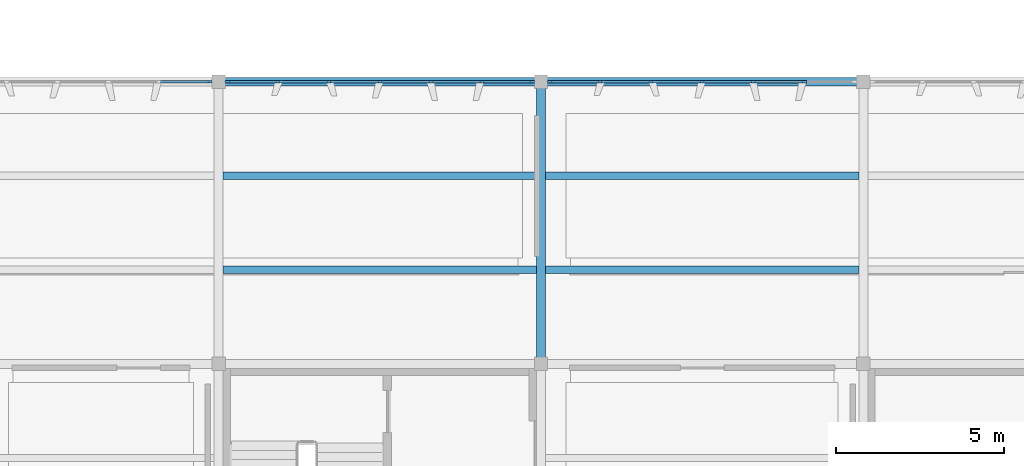
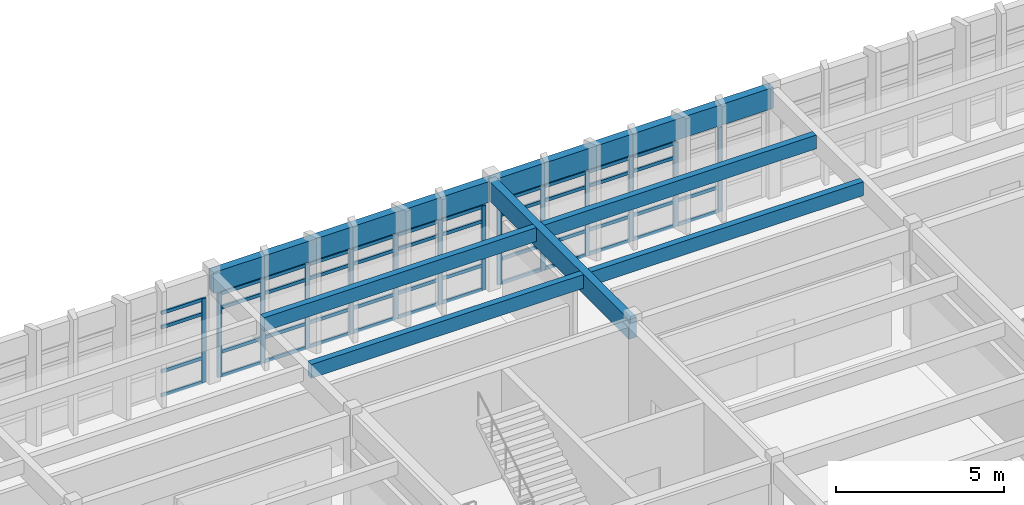
# One storey, part 11 of 42: 60 members, 7 beams, 3 elements without a shape of their own.
"""IFC4 building model written with IfcOpenShell, lengths in metres."""

from ifc_helpers import new_model, si_unit, direction, frame, origin, origin_2d, place, context, subcontext, project, spatial, rectangle, extrude, material, layer, layer_set, material_profile, profile_set, type_object, element, aggregate, save


model = new_model("IFC4")

# Units and contexts
model_context = context("Model", 3, precision=1e-05, world=origin(), true_north=direction((0.0, 1.0)))
body_context = subcontext(model_context, "Body", "Model", "MODEL_VIEW")
ifc_project = project(units=[si_unit("LENGTHUNIT", "METRE"), si_unit("AREAUNIT", "SQUARE_METRE"), si_unit("VOLUMEUNIT", "CUBIC_METRE"), si_unit("PLANEANGLEUNIT", "RADIAN"), si_unit("MASSUNIT", "GRAM", prefix="KILO")], contexts=[model_context])

# Site, building, storey
site_placement = place(None, origin())
site = spatial("IfcSite", under=ifc_project, at=site_placement, CompositionType="ELEMENT")
building_placement = place(site_placement, origin())
building = spatial("IfcBuilding", under=site, at=building_placement, Name="Kolvemor Railside Polytechnic", CompositionType="ELEMENT")
storey_placement = place(building_placement, frame((0.0, 0.0, 14.39990234375)))
storey = spatial("IfcBuildingStorey", under=building, at=storey_placement, Name="L03", CompositionType="ELEMENT", Elevation=14.39990234375)

# Beams
ifc_material_1 = material(Name="Glulam GL28h", Category="wood")
ifc_material_profile_1 = material_profile(ifc_material_1, rectangle(XDim=0.264892578125, YDim=0.760009765625, at=origin_2d()), Name="GL265x760")
ifc_profile_set_1 = profile_set([ifc_material_profile_1], Name="Glulam GL28h")
beam_type_1 = type_object("IfcBeamType", Name="BM-GL-GIRD1", PredefinedType="BEAM", material=ifc_profile_set_1)
for number, where, z_axis, x_axis, name in (
    (1, (86.39990234375, 38.39990234375, 3.570068359375), (1.0, 0.0, 0.0), (0.0, 1.0, 0.0), "Primary Girder L04-GX 1407"),
    (2, (96.0, 38.39990234375, 3.570068359375), (1.0, 0.0, 0.0), (0.0, 1.0, 0.0), "Primary Girder L04-GX 1408"),
):
    element("IfcBeam", number, at=place(storey_placement, frame(where, z_axis=z_axis, x_axis=x_axis)), inside=storey, type_object=beam_type_1, Name=name, PredefinedType="BEAM", context=body_context, shape_type="SweptSolid", body=[
        extrude(rectangle(XDim=0.264892578125, YDim=0.760009765625, at=origin_2d()), origin(), (0.0, 0.0, 1.0), 9.60009765625),
    ])
ifc_material_2 = material(Name="Glulam GL28h", Category="wood")
ifc_material_profile_2 = material_profile(ifc_material_2, rectangle(XDim=0.264892578125, YDim=0.719970703125, at=origin_2d()), Name="GL265x720")
ifc_profile_set_2 = profile_set([ifc_material_profile_2], Name="Glulam GL28h")
beam_type_2 = type_object("IfcBeamType", Name="BM-GL-GIRD4", PredefinedType="BEAM", material=ifc_profile_set_2)
beam_placement = place(storey_placement, frame((96.0, 30.0, 3.590087890625), z_axis=(0.0, 1.0, 0.0), x_axis=(-1.0, 0.0, 0.0)))
element("IfcBeam", 3, at=beam_placement, inside=storey, type_object=beam_type_2, Name="Primary Girder L04-GY 1435", PredefinedType="BEAM", context=body_context, shape_type="SweptSolid", body=[
    extrude(rectangle(XDim=0.264892578125, YDim=0.719970703125, at=origin_2d()), origin(), (0.0, 0.0, 1.0), 8.39990234375),
])
ifc_material_3 = material(Name="Glulam GL28h", Category="wood")
ifc_material_profile_3 = material_profile(ifc_material_3, rectangle(XDim=0.215087890625, YDim=0.5, at=origin_2d()), Name="GL215x500")
ifc_profile_set_3 = profile_set([ifc_material_profile_3], Name="Glulam GL28h")
beam_type_3 = type_object("IfcBeamType", Name="BM-GL-JST3", PredefinedType="JOIST", material=ifc_profile_set_3)
for number, where, z_axis, x_axis, name in (
    (4, (86.532958984375, 32.800048828125, 3.7001953125), (1.0, 0.0, 0.0), (0.0, 1.0, 0.0), "Floor Joist L04-J1486"),
    (5, (86.532958984375, 35.60009765625, 3.7001953125), (1.0, 0.0, 0.0), (0.0, 1.0, 0.0), "Floor Joist L04-J1487"),
    (6, (96.133056640625, 32.800048828125, 3.7001953125), (1.0, 0.0, 0.0), (0.0, 1.0, 0.0), "Floor Joist L04-J1494"),
    (7, (96.133056640625, 35.60009765625, 3.7001953125), (1.0, 0.0, 0.0), (0.0, 1.0, 0.0), "Floor Joist L04-J1495"),
):
    element("IfcBeam", number, at=place(storey_placement, frame(where, z_axis=z_axis, x_axis=x_axis)), inside=storey, type_object=beam_type_3, Name=name, PredefinedType="JOIST", context=body_context, shape_type="SweptSolid", body=[
        extrude(rectangle(XDim=0.215087890625, YDim=0.5, at=origin_2d()), origin(), (0.0, 0.0, 1.0), 9.333984375),
    ])

# Curtain wall, member
ifc_material_4 = material(Name="Anodised marine aluminium and laminated low-E glass", Category="aluminium")
ifc_layer = layer(ifc_material_4, 0.179931640625, Name="CW-UNIT-STD")
ifc_layer_set = layer_set([ifc_layer], Name="Anodised marine aluminium and laminated low-E glass")
curtain_wall_type = type_object("IfcCurtainWallType", Name="CW-UNIT-STD", PredefinedType="USERDEFINED", material=ifc_layer_set)
curtain_wall_1_placement = place(storey_placement, origin())
curtain_wall_1 = element("IfcCurtainWall", 8, at=curtain_wall_1_placement, inside=storey, type_object=curtain_wall_type, Name="Curtain Wall L03-127", ObjectType="UNITISED CURTAIN WALL", PredefinedType="USERDEFINED")
ifc_material_5 = material(Name="Anodised marine aluminium 6063-T6", Category="aluminium")
ifc_material_profile_4 = material_profile(ifc_material_5, rectangle(XDim=0.06494140625, YDim=0.14990234375, at=origin_2d()), Name="CW-MUL-65x150")
ifc_profile_set_4 = profile_set([ifc_material_profile_4], Name="Anodised marine aluminium 6063-T6")
member_type_1 = type_object("IfcMemberType", Name="CWM-65x150", PredefinedType="MULLION", material=ifc_profile_set_4)
member_1_placement = place(storey_placement, frame((86.12744140625, 38.39990234375, 0.0), z_axis=(0.0, 0.0, 1.0), x_axis=(0.0, -1.0, 0.0)))
member_1 = element("IfcMember", 9, at=member_1_placement, type_object=member_type_1, Name="CW-STD mullion 1", PredefinedType="MULLION", context=body_context, shape_type="SweptSolid", body=[
    extrude(rectangle(XDim=0.06494140625, YDim=0.14990234375, at=origin_2d()), origin(), (0.0, 0.0, 1.0), 3.050048828125),
])

# Curtain wall, members
curtain_wall_2_placement = place(storey_placement, origin())
curtain_wall_2 = element("IfcCurtainWall", 10, at=curtain_wall_2_placement, inside=storey, type_object=curtain_wall_type, Name="Curtain Wall L03-128", ObjectType="UNITISED CURTAIN WALL", PredefinedType="USERDEFINED")
member_2_placement = place(storey_placement, frame((95.7275390625, 38.39990234375, 0.0), z_axis=(0.0, 0.0, 1.0), x_axis=(0.0, -1.0, 0.0)))
member_2 = element("IfcMember", 11, at=member_2_placement, type_object=member_type_1, Name="CW-STD mullion 1", PredefinedType="MULLION", context=body_context, shape_type="SweptSolid", body=[
    extrude(rectangle(XDim=0.06494140625, YDim=0.14990234375, at=origin_2d()), origin(), (0.0, 0.0, 1.0), 3.050048828125),
])
member_3_placement = place(storey_placement, frame((94.239990234375, 38.39990234375, 0.0), z_axis=(0.0, 0.0, 1.0), x_axis=(0.0, -1.0, 0.0)))
member_3 = element("IfcMember", 12, at=member_3_placement, type_object=member_type_1, Name="CW-STD mullion 2", PredefinedType="MULLION", context=body_context, shape_type="SweptSolid", body=[
    extrude(rectangle(XDim=0.06494140625, YDim=0.14990234375, at=origin_2d()), origin(), (0.0, 0.0, 1.0), 3.050048828125),
])
member_4_placement = place(storey_placement, frame((92.719970703125, 38.39990234375, 0.0), z_axis=(0.0, 0.0, 1.0), x_axis=(0.0, -1.0, 0.0)))
member_4 = element("IfcMember", 13, at=member_4_placement, type_object=member_type_1, Name="CW-STD mullion 3", PredefinedType="MULLION", context=body_context, shape_type="SweptSolid", body=[
    extrude(rectangle(XDim=0.06494140625, YDim=0.14990234375, at=origin_2d()), origin(), (0.0, 0.0, 1.0), 3.050048828125),
])
member_5_placement = place(storey_placement, frame((91.199951171875, 38.39990234375, 0.0), z_axis=(0.0, 0.0, 1.0), x_axis=(0.0, -1.0, 0.0)))
member_5 = element("IfcMember", 14, at=member_5_placement, type_object=member_type_1, Name="CW-STD mullion 4", PredefinedType="MULLION", context=body_context, shape_type="SweptSolid", body=[
    extrude(rectangle(XDim=0.06494140625, YDim=0.14990234375, at=origin_2d()), origin(), (0.0, 0.0, 1.0), 3.050048828125),
])
member_6_placement = place(storey_placement, frame((89.679931640625, 38.39990234375, 0.0), z_axis=(0.0, 0.0, 1.0), x_axis=(0.0, -1.0, 0.0)))
member_6 = element("IfcMember", 15, at=member_6_placement, type_object=member_type_1, Name="CW-STD mullion 5", PredefinedType="MULLION", context=body_context, shape_type="SweptSolid", body=[
    extrude(rectangle(XDim=0.06494140625, YDim=0.14990234375, at=origin_2d()), origin(), (0.0, 0.0, 1.0), 3.050048828125),
])
member_7_placement = place(storey_placement, frame((88.159912109375, 38.39990234375, 0.0), z_axis=(0.0, 0.0, 1.0), x_axis=(0.0, -1.0, 0.0)))
member_7 = element("IfcMember", 16, at=member_7_placement, type_object=member_type_1, Name="CW-STD mullion 6", PredefinedType="MULLION", context=body_context, shape_type="SweptSolid", body=[
    extrude(rectangle(XDim=0.06494140625, YDim=0.14990234375, at=origin_2d()), origin(), (0.0, 0.0, 1.0), 3.050048828125),
])
member_8_placement = place(storey_placement, frame((86.672607421875, 38.39990234375, 0.0), z_axis=(0.0, 0.0, 1.0), x_axis=(0.0, -1.0, 0.0)))
member_8 = element("IfcMember", 17, at=member_8_placement, type_object=member_type_1, Name="CW-STD mullion 7", PredefinedType="MULLION", context=body_context, shape_type="SweptSolid", body=[
    extrude(rectangle(XDim=0.06494140625, YDim=0.14990234375, at=origin_2d()), origin(), (0.0, 0.0, 1.0), 3.050048828125),
])

curtain_wall_3_placement = place(storey_placement, origin())
curtain_wall_3 = element("IfcCurtainWall", 18, at=curtain_wall_3_placement, inside=storey, type_object=curtain_wall_type, Name="Curtain Wall L03-129", ObjectType="UNITISED CURTAIN WALL", PredefinedType="USERDEFINED")
member_9_placement = place(storey_placement, frame((103.840087890625, 38.39990234375, 0.0), z_axis=(0.0, 0.0, 1.0), x_axis=(0.0, -1.0, 0.0)))
member_9 = element("IfcMember", 19, at=member_9_placement, type_object=member_type_1, Name="CW-STD mullion 2", PredefinedType="MULLION", context=body_context, shape_type="SweptSolid", body=[
    extrude(rectangle(XDim=0.06494140625, YDim=0.14990234375, at=origin_2d()), origin(), (0.0, 0.0, 1.0), 3.050048828125),
])
member_10_placement = place(storey_placement, frame((102.320068359375, 38.39990234375, 0.0), z_axis=(0.0, 0.0, 1.0), x_axis=(0.0, -1.0, 0.0)))
member_10 = element("IfcMember", 20, at=member_10_placement, type_object=member_type_1, Name="CW-STD mullion 3", PredefinedType="MULLION", context=body_context, shape_type="SweptSolid", body=[
    extrude(rectangle(XDim=0.06494140625, YDim=0.14990234375, at=origin_2d()), origin(), (0.0, 0.0, 1.0), 3.050048828125),
])
member_11_placement = place(storey_placement, frame((100.800048828125, 38.39990234375, 0.0), z_axis=(0.0, 0.0, 1.0), x_axis=(0.0, -1.0, 0.0)))
member_11 = element("IfcMember", 21, at=member_11_placement, type_object=member_type_1, Name="CW-STD mullion 4", PredefinedType="MULLION", context=body_context, shape_type="SweptSolid", body=[
    extrude(rectangle(XDim=0.06494140625, YDim=0.14990234375, at=origin_2d()), origin(), (0.0, 0.0, 1.0), 3.050048828125),
])
member_12_placement = place(storey_placement, frame((99.280029296875, 38.39990234375, 0.0), z_axis=(0.0, 0.0, 1.0), x_axis=(0.0, -1.0, 0.0)))
member_12 = element("IfcMember", 22, at=member_12_placement, type_object=member_type_1, Name="CW-STD mullion 5", PredefinedType="MULLION", context=body_context, shape_type="SweptSolid", body=[
    extrude(rectangle(XDim=0.06494140625, YDim=0.14990234375, at=origin_2d()), origin(), (0.0, 0.0, 1.0), 3.050048828125),
])
member_13_placement = place(storey_placement, frame((97.760009765625, 38.39990234375, 0.0), z_axis=(0.0, 0.0, 1.0), x_axis=(0.0, -1.0, 0.0)))
member_13 = element("IfcMember", 23, at=member_13_placement, type_object=member_type_1, Name="CW-STD mullion 6", PredefinedType="MULLION", context=body_context, shape_type="SweptSolid", body=[
    extrude(rectangle(XDim=0.06494140625, YDim=0.14990234375, at=origin_2d()), origin(), (0.0, 0.0, 1.0), 3.050048828125),
])
member_14_placement = place(storey_placement, frame((96.2724609375, 38.39990234375, 0.0), z_axis=(0.0, 0.0, 1.0), x_axis=(0.0, -1.0, 0.0)))
member_14 = element("IfcMember", 24, at=member_14_placement, type_object=member_type_1, Name="CW-STD mullion 7", PredefinedType="MULLION", context=body_context, shape_type="SweptSolid", body=[
    extrude(rectangle(XDim=0.06494140625, YDim=0.14990234375, at=origin_2d()), origin(), (0.0, 0.0, 1.0), 3.050048828125),
])

# Member
ifc_material_6 = material(Name="Anodised marine aluminium 6063-T6", Category="aluminium")
ifc_material_profile_5 = material_profile(ifc_material_6, rectangle(XDim=0.06494140625, YDim=0.1201171875, at=origin_2d()), Name="CW-TRN-65x120")
ifc_profile_set_5 = profile_set([ifc_material_profile_5], Name="Anodised marine aluminium 6063-T6")
member_type_2 = type_object("IfcMemberType", Name="CWT-65x120", PredefinedType="USERDEFINED", material=ifc_profile_set_5)
member_15_placement = place(storey_placement, frame((86.094970703125, 38.39990234375, 0.03271484375), z_axis=(-1.0, 0.0, 0.0), x_axis=(0.0, -1.0, 0.0)))
member_15 = element("IfcMember", 25, at=member_15_placement, type_object=member_type_2, Name="CW-STD transom 1.1", ObjectType="TRANSOM", PredefinedType="USERDEFINED", context=body_context, shape_type="SweptSolid", body=[
    extrude(rectangle(XDim=0.06494140625, YDim=0.1201171875, at=origin_2d()), origin(), (0.0, 0.0, 1.0), 1.42236328125),
])

member_16_placement = place(storey_placement, frame((86.094970703125, 38.39990234375, 0.900146484375), z_axis=(-1.0, 0.0, 0.0), x_axis=(0.0, -1.0, 0.0)))
member_16 = element("IfcMember", 26, at=member_16_placement, type_object=member_type_2, Name="CW-STD transom 1.2", ObjectType="TRANSOM", PredefinedType="USERDEFINED", context=body_context, shape_type="SweptSolid", body=[
    extrude(rectangle(XDim=0.06494140625, YDim=0.1201171875, at=origin_2d()), origin(), (0.0, 0.0, 1.0), 1.42236328125),
])

member_17_placement = place(storey_placement, frame((86.094970703125, 38.39990234375, 2.5), z_axis=(-1.0, 0.0, 0.0), x_axis=(0.0, -1.0, 0.0)))
member_17 = element("IfcMember", 27, at=member_17_placement, type_object=member_type_2, Name="CW-STD transom 1.3", ObjectType="TRANSOM", PredefinedType="USERDEFINED", context=body_context, shape_type="SweptSolid", body=[
    extrude(rectangle(XDim=0.06494140625, YDim=0.1201171875, at=origin_2d()), origin(), (0.0, 0.0, 1.0), 1.42236328125),
])

member_18_placement = place(storey_placement, frame((86.094970703125, 38.39990234375, 3.017578125), z_axis=(-1.0, 0.0, 0.0), x_axis=(0.0, -1.0, 0.0)))
member_18 = element("IfcMember", 28, at=member_18_placement, type_object=member_type_2, Name="CW-STD transom 1.4", ObjectType="TRANSOM", PredefinedType="USERDEFINED", context=body_context, shape_type="SweptSolid", body=[
    extrude(rectangle(XDim=0.06494140625, YDim=0.1201171875, at=origin_2d()), origin(), (0.0, 0.0, 1.0), 1.42236328125),
])

aggregate(curtain_wall_1, [member_1, member_15, member_16, member_17, member_18])

member_19_placement = place(storey_placement, frame((95.695068359375, 38.39990234375, 0.03271484375), z_axis=(-1.0, 0.0, 0.0), x_axis=(0.0, -1.0, 0.0)))
member_19 = element("IfcMember", 29, at=member_19_placement, type_object=member_type_2, Name="CW-STD transom 1.1", ObjectType="TRANSOM", PredefinedType="USERDEFINED", context=body_context, shape_type="SweptSolid", body=[
    extrude(rectangle(XDim=0.06494140625, YDim=0.1201171875, at=origin_2d()), origin(), (0.0, 0.0, 1.0), 1.422607421875),
])

member_20_placement = place(storey_placement, frame((95.695068359375, 38.39990234375, 0.900146484375), z_axis=(-1.0, 0.0, 0.0), x_axis=(0.0, -1.0, 0.0)))
member_20 = element("IfcMember", 30, at=member_20_placement, type_object=member_type_2, Name="CW-STD transom 1.2", ObjectType="TRANSOM", PredefinedType="USERDEFINED", context=body_context, shape_type="SweptSolid", body=[
    extrude(rectangle(XDim=0.06494140625, YDim=0.1201171875, at=origin_2d()), origin(), (0.0, 0.0, 1.0), 1.422607421875),
])

member_21_placement = place(storey_placement, frame((95.695068359375, 38.39990234375, 2.5), z_axis=(-1.0, 0.0, 0.0), x_axis=(0.0, -1.0, 0.0)))
member_21 = element("IfcMember", 31, at=member_21_placement, type_object=member_type_2, Name="CW-STD transom 1.3", ObjectType="TRANSOM", PredefinedType="USERDEFINED", context=body_context, shape_type="SweptSolid", body=[
    extrude(rectangle(XDim=0.06494140625, YDim=0.1201171875, at=origin_2d()), origin(), (0.0, 0.0, 1.0), 1.422607421875),
])

member_22_placement = place(storey_placement, frame((95.695068359375, 38.39990234375, 3.017578125), z_axis=(-1.0, 0.0, 0.0), x_axis=(0.0, -1.0, 0.0)))
member_22 = element("IfcMember", 32, at=member_22_placement, type_object=member_type_2, Name="CW-STD transom 1.4", ObjectType="TRANSOM", PredefinedType="USERDEFINED", context=body_context, shape_type="SweptSolid", body=[
    extrude(rectangle(XDim=0.06494140625, YDim=0.1201171875, at=origin_2d()), origin(), (0.0, 0.0, 1.0), 1.422607421875),
])

member_23_placement = place(storey_placement, frame((94.20751953125, 38.39990234375, 0.03271484375), z_axis=(-1.0, 0.0, 0.0), x_axis=(0.0, -1.0, 0.0)))
member_23 = element("IfcMember", 33, at=member_23_placement, type_object=member_type_2, Name="CW-STD transom 2.1", ObjectType="TRANSOM", PredefinedType="USERDEFINED", context=body_context, shape_type="SweptSolid", body=[
    extrude(rectangle(XDim=0.06494140625, YDim=0.1201171875, at=origin_2d()), origin(), (0.0, 0.0, 1.0), 1.455078125),
])

member_24_placement = place(storey_placement, frame((94.20751953125, 38.39990234375, 0.900146484375), z_axis=(-1.0, 0.0, 0.0), x_axis=(0.0, -1.0, 0.0)))
member_24 = element("IfcMember", 34, at=member_24_placement, type_object=member_type_2, Name="CW-STD transom 2.2", ObjectType="TRANSOM", PredefinedType="USERDEFINED", context=body_context, shape_type="SweptSolid", body=[
    extrude(rectangle(XDim=0.06494140625, YDim=0.1201171875, at=origin_2d()), origin(), (0.0, 0.0, 1.0), 1.455078125),
])

member_25_placement = place(storey_placement, frame((94.20751953125, 38.39990234375, 2.5), z_axis=(-1.0, 0.0, 0.0), x_axis=(0.0, -1.0, 0.0)))
member_25 = element("IfcMember", 35, at=member_25_placement, type_object=member_type_2, Name="CW-STD transom 2.3", ObjectType="TRANSOM", PredefinedType="USERDEFINED", context=body_context, shape_type="SweptSolid", body=[
    extrude(rectangle(XDim=0.06494140625, YDim=0.1201171875, at=origin_2d()), origin(), (0.0, 0.0, 1.0), 1.455078125),
])

member_26_placement = place(storey_placement, frame((94.20751953125, 38.39990234375, 3.017578125), z_axis=(-1.0, 0.0, 0.0), x_axis=(0.0, -1.0, 0.0)))
member_26 = element("IfcMember", 36, at=member_26_placement, type_object=member_type_2, Name="CW-STD transom 2.4", ObjectType="TRANSOM", PredefinedType="USERDEFINED", context=body_context, shape_type="SweptSolid", body=[
    extrude(rectangle(XDim=0.06494140625, YDim=0.1201171875, at=origin_2d()), origin(), (0.0, 0.0, 1.0), 1.455078125),
])

member_27_placement = place(storey_placement, frame((92.6875, 38.39990234375, 0.03271484375), z_axis=(-1.0, 0.0, 0.0), x_axis=(0.0, -1.0, 0.0)))
member_27 = element("IfcMember", 37, at=member_27_placement, type_object=member_type_2, Name="CW-STD transom 3.1", ObjectType="TRANSOM", PredefinedType="USERDEFINED", context=body_context, shape_type="SweptSolid", body=[
    extrude(rectangle(XDim=0.06494140625, YDim=0.1201171875, at=origin_2d()), origin(), (0.0, 0.0, 1.0), 1.455078125),
])

member_28_placement = place(storey_placement, frame((92.6875, 38.39990234375, 0.900146484375), z_axis=(-1.0, 0.0, 0.0), x_axis=(0.0, -1.0, 0.0)))
member_28 = element("IfcMember", 38, at=member_28_placement, type_object=member_type_2, Name="CW-STD transom 3.2", ObjectType="TRANSOM", PredefinedType="USERDEFINED", context=body_context, shape_type="SweptSolid", body=[
    extrude(rectangle(XDim=0.06494140625, YDim=0.1201171875, at=origin_2d()), origin(), (0.0, 0.0, 1.0), 1.455078125),
])

member_29_placement = place(storey_placement, frame((92.6875, 38.39990234375, 2.5), z_axis=(-1.0, 0.0, 0.0), x_axis=(0.0, -1.0, 0.0)))
member_29 = element("IfcMember", 39, at=member_29_placement, type_object=member_type_2, Name="CW-STD transom 3.3", ObjectType="TRANSOM", PredefinedType="USERDEFINED", context=body_context, shape_type="SweptSolid", body=[
    extrude(rectangle(XDim=0.06494140625, YDim=0.1201171875, at=origin_2d()), origin(), (0.0, 0.0, 1.0), 1.455078125),
])

member_30_placement = place(storey_placement, frame((92.6875, 38.39990234375, 3.017578125), z_axis=(-1.0, 0.0, 0.0), x_axis=(0.0, -1.0, 0.0)))
member_30 = element("IfcMember", 40, at=member_30_placement, type_object=member_type_2, Name="CW-STD transom 3.4", ObjectType="TRANSOM", PredefinedType="USERDEFINED", context=body_context, shape_type="SweptSolid", body=[
    extrude(rectangle(XDim=0.06494140625, YDim=0.1201171875, at=origin_2d()), origin(), (0.0, 0.0, 1.0), 1.455078125),
])

member_31_placement = place(storey_placement, frame((91.16748046875, 38.39990234375, 0.03271484375), z_axis=(-1.0, 0.0, 0.0), x_axis=(0.0, -1.0, 0.0)))
member_31 = element("IfcMember", 41, at=member_31_placement, type_object=member_type_2, Name="CW-STD transom 4.1", ObjectType="TRANSOM", PredefinedType="USERDEFINED", context=body_context, shape_type="SweptSolid", body=[
    extrude(rectangle(XDim=0.06494140625, YDim=0.1201171875, at=origin_2d()), origin(), (0.0, 0.0, 1.0), 1.455078125),
])

member_32_placement = place(storey_placement, frame((91.16748046875, 38.39990234375, 0.900146484375), z_axis=(-1.0, 0.0, 0.0), x_axis=(0.0, -1.0, 0.0)))
member_32 = element("IfcMember", 42, at=member_32_placement, type_object=member_type_2, Name="CW-STD transom 4.2", ObjectType="TRANSOM", PredefinedType="USERDEFINED", context=body_context, shape_type="SweptSolid", body=[
    extrude(rectangle(XDim=0.06494140625, YDim=0.1201171875, at=origin_2d()), origin(), (0.0, 0.0, 1.0), 1.455078125),
])

member_33_placement = place(storey_placement, frame((91.16748046875, 38.39990234375, 2.5), z_axis=(-1.0, 0.0, 0.0), x_axis=(0.0, -1.0, 0.0)))
member_33 = element("IfcMember", 43, at=member_33_placement, type_object=member_type_2, Name="CW-STD transom 4.3", ObjectType="TRANSOM", PredefinedType="USERDEFINED", context=body_context, shape_type="SweptSolid", body=[
    extrude(rectangle(XDim=0.06494140625, YDim=0.1201171875, at=origin_2d()), origin(), (0.0, 0.0, 1.0), 1.455078125),
])

member_34_placement = place(storey_placement, frame((91.16748046875, 38.39990234375, 3.017578125), z_axis=(-1.0, 0.0, 0.0), x_axis=(0.0, -1.0, 0.0)))
member_34 = element("IfcMember", 44, at=member_34_placement, type_object=member_type_2, Name="CW-STD transom 4.4", ObjectType="TRANSOM", PredefinedType="USERDEFINED", context=body_context, shape_type="SweptSolid", body=[
    extrude(rectangle(XDim=0.06494140625, YDim=0.1201171875, at=origin_2d()), origin(), (0.0, 0.0, 1.0), 1.455078125),
])

member_35_placement = place(storey_placement, frame((89.6474609375, 38.39990234375, 0.03271484375), z_axis=(-1.0, 0.0, 0.0), x_axis=(0.0, -1.0, 0.0)))
member_35 = element("IfcMember", 45, at=member_35_placement, type_object=member_type_2, Name="CW-STD transom 5.1", ObjectType="TRANSOM", PredefinedType="USERDEFINED", context=body_context, shape_type="SweptSolid", body=[
    extrude(rectangle(XDim=0.06494140625, YDim=0.1201171875, at=origin_2d()), origin(), (0.0, 0.0, 1.0), 1.455078125),
])

member_36_placement = place(storey_placement, frame((89.6474609375, 38.39990234375, 0.900146484375), z_axis=(-1.0, 0.0, 0.0), x_axis=(0.0, -1.0, 0.0)))
member_36 = element("IfcMember", 46, at=member_36_placement, type_object=member_type_2, Name="CW-STD transom 5.2", ObjectType="TRANSOM", PredefinedType="USERDEFINED", context=body_context, shape_type="SweptSolid", body=[
    extrude(rectangle(XDim=0.06494140625, YDim=0.1201171875, at=origin_2d()), origin(), (0.0, 0.0, 1.0), 1.455078125),
])

member_37_placement = place(storey_placement, frame((89.6474609375, 38.39990234375, 2.5), z_axis=(-1.0, 0.0, 0.0), x_axis=(0.0, -1.0, 0.0)))
member_37 = element("IfcMember", 47, at=member_37_placement, type_object=member_type_2, Name="CW-STD transom 5.3", ObjectType="TRANSOM", PredefinedType="USERDEFINED", context=body_context, shape_type="SweptSolid", body=[
    extrude(rectangle(XDim=0.06494140625, YDim=0.1201171875, at=origin_2d()), origin(), (0.0, 0.0, 1.0), 1.455078125),
])

member_38_placement = place(storey_placement, frame((89.6474609375, 38.39990234375, 3.017578125), z_axis=(-1.0, 0.0, 0.0), x_axis=(0.0, -1.0, 0.0)))
member_38 = element("IfcMember", 48, at=member_38_placement, type_object=member_type_2, Name="CW-STD transom 5.4", ObjectType="TRANSOM", PredefinedType="USERDEFINED", context=body_context, shape_type="SweptSolid", body=[
    extrude(rectangle(XDim=0.06494140625, YDim=0.1201171875, at=origin_2d()), origin(), (0.0, 0.0, 1.0), 1.455078125),
])

member_39_placement = place(storey_placement, frame((88.12744140625, 38.39990234375, 0.03271484375), z_axis=(-1.0, 0.0, 0.0), x_axis=(0.0, -1.0, 0.0)))
member_39 = element("IfcMember", 49, at=member_39_placement, type_object=member_type_2, Name="CW-STD transom 6.1", ObjectType="TRANSOM", PredefinedType="USERDEFINED", context=body_context, shape_type="SweptSolid", body=[
    extrude(rectangle(XDim=0.06494140625, YDim=0.1201171875, at=origin_2d()), origin(), (0.0, 0.0, 1.0), 1.42236328125),
])

member_40_placement = place(storey_placement, frame((88.12744140625, 38.39990234375, 0.900146484375), z_axis=(-1.0, 0.0, 0.0), x_axis=(0.0, -1.0, 0.0)))
member_40 = element("IfcMember", 50, at=member_40_placement, type_object=member_type_2, Name="CW-STD transom 6.2", ObjectType="TRANSOM", PredefinedType="USERDEFINED", context=body_context, shape_type="SweptSolid", body=[
    extrude(rectangle(XDim=0.06494140625, YDim=0.1201171875, at=origin_2d()), origin(), (0.0, 0.0, 1.0), 1.42236328125),
])

member_41_placement = place(storey_placement, frame((88.12744140625, 38.39990234375, 2.5), z_axis=(-1.0, 0.0, 0.0), x_axis=(0.0, -1.0, 0.0)))
member_41 = element("IfcMember", 51, at=member_41_placement, type_object=member_type_2, Name="CW-STD transom 6.3", ObjectType="TRANSOM", PredefinedType="USERDEFINED", context=body_context, shape_type="SweptSolid", body=[
    extrude(rectangle(XDim=0.06494140625, YDim=0.1201171875, at=origin_2d()), origin(), (0.0, 0.0, 1.0), 1.42236328125),
])

member_42_placement = place(storey_placement, frame((88.12744140625, 38.39990234375, 3.017578125), z_axis=(-1.0, 0.0, 0.0), x_axis=(0.0, -1.0, 0.0)))
member_42 = element("IfcMember", 52, at=member_42_placement, type_object=member_type_2, Name="CW-STD transom 6.4", ObjectType="TRANSOM", PredefinedType="USERDEFINED", context=body_context, shape_type="SweptSolid", body=[
    extrude(rectangle(XDim=0.06494140625, YDim=0.1201171875, at=origin_2d()), origin(), (0.0, 0.0, 1.0), 1.42236328125),
])

aggregate(curtain_wall_2, [member_2, member_3, member_4, member_5, member_6, member_7, member_8, member_19, member_20, member_21, member_22, member_23, member_24, member_25, member_26, member_27, member_28, member_29, member_30, member_31, member_32, member_33, member_34, member_35, member_36, member_37, member_38, member_39, member_40, member_41, member_42])

member_43_placement = place(storey_placement, frame((103.8076171875, 38.39990234375, 0.03271484375), z_axis=(-1.0, 0.0, 0.0), x_axis=(0.0, -1.0, 0.0)))
member_43 = element("IfcMember", 53, at=member_43_placement, type_object=member_type_2, Name="CW-STD transom 2.1", ObjectType="TRANSOM", PredefinedType="USERDEFINED", context=body_context, shape_type="SweptSolid", body=[
    extrude(rectangle(XDim=0.06494140625, YDim=0.1201171875, at=origin_2d()), origin(), (0.0, 0.0, 1.0), 1.455078125),
])

member_44_placement = place(storey_placement, frame((103.8076171875, 38.39990234375, 0.900146484375), z_axis=(-1.0, 0.0, 0.0), x_axis=(0.0, -1.0, 0.0)))
member_44 = element("IfcMember", 54, at=member_44_placement, type_object=member_type_2, Name="CW-STD transom 2.2", ObjectType="TRANSOM", PredefinedType="USERDEFINED", context=body_context, shape_type="SweptSolid", body=[
    extrude(rectangle(XDim=0.06494140625, YDim=0.1201171875, at=origin_2d()), origin(), (0.0, 0.0, 1.0), 1.455078125),
])

member_45_placement = place(storey_placement, frame((102.28759765625, 38.39990234375, 0.03271484375), z_axis=(-1.0, 0.0, 0.0), x_axis=(0.0, -1.0, 0.0)))
member_45 = element("IfcMember", 55, at=member_45_placement, type_object=member_type_2, Name="CW-STD transom 3.1", ObjectType="TRANSOM", PredefinedType="USERDEFINED", context=body_context, shape_type="SweptSolid", body=[
    extrude(rectangle(XDim=0.06494140625, YDim=0.1201171875, at=origin_2d()), origin(), (0.0, 0.0, 1.0), 1.455078125),
])

member_46_placement = place(storey_placement, frame((102.28759765625, 38.39990234375, 0.900146484375), z_axis=(-1.0, 0.0, 0.0), x_axis=(0.0, -1.0, 0.0)))
member_46 = element("IfcMember", 56, at=member_46_placement, type_object=member_type_2, Name="CW-STD transom 3.2", ObjectType="TRANSOM", PredefinedType="USERDEFINED", context=body_context, shape_type="SweptSolid", body=[
    extrude(rectangle(XDim=0.06494140625, YDim=0.1201171875, at=origin_2d()), origin(), (0.0, 0.0, 1.0), 1.455078125),
])

member_47_placement = place(storey_placement, frame((102.28759765625, 38.39990234375, 2.5), z_axis=(-1.0, 0.0, 0.0), x_axis=(0.0, -1.0, 0.0)))
member_47 = element("IfcMember", 57, at=member_47_placement, type_object=member_type_2, Name="CW-STD transom 3.3", ObjectType="TRANSOM", PredefinedType="USERDEFINED", context=body_context, shape_type="SweptSolid", body=[
    extrude(rectangle(XDim=0.06494140625, YDim=0.1201171875, at=origin_2d()), origin(), (0.0, 0.0, 1.0), 1.455078125),
])

member_48_placement = place(storey_placement, frame((102.28759765625, 38.39990234375, 3.017578125), z_axis=(-1.0, 0.0, 0.0), x_axis=(0.0, -1.0, 0.0)))
member_48 = element("IfcMember", 58, at=member_48_placement, type_object=member_type_2, Name="CW-STD transom 3.4", ObjectType="TRANSOM", PredefinedType="USERDEFINED", context=body_context, shape_type="SweptSolid", body=[
    extrude(rectangle(XDim=0.06494140625, YDim=0.1201171875, at=origin_2d()), origin(), (0.0, 0.0, 1.0), 1.455078125),
])

member_49_placement = place(storey_placement, frame((100.767578125, 38.39990234375, 0.03271484375), z_axis=(-1.0, 0.0, 0.0), x_axis=(0.0, -1.0, 0.0)))
member_49 = element("IfcMember", 59, at=member_49_placement, type_object=member_type_2, Name="CW-STD transom 4.1", ObjectType="TRANSOM", PredefinedType="USERDEFINED", context=body_context, shape_type="SweptSolid", body=[
    extrude(rectangle(XDim=0.06494140625, YDim=0.1201171875, at=origin_2d()), origin(), (0.0, 0.0, 1.0), 1.455078125),
])

member_50_placement = place(storey_placement, frame((100.767578125, 38.39990234375, 0.900146484375), z_axis=(-1.0, 0.0, 0.0), x_axis=(0.0, -1.0, 0.0)))
member_50 = element("IfcMember", 60, at=member_50_placement, type_object=member_type_2, Name="CW-STD transom 4.2", ObjectType="TRANSOM", PredefinedType="USERDEFINED", context=body_context, shape_type="SweptSolid", body=[
    extrude(rectangle(XDim=0.06494140625, YDim=0.1201171875, at=origin_2d()), origin(), (0.0, 0.0, 1.0), 1.455078125),
])

member_51_placement = place(storey_placement, frame((100.767578125, 38.39990234375, 2.5), z_axis=(-1.0, 0.0, 0.0), x_axis=(0.0, -1.0, 0.0)))
member_51 = element("IfcMember", 61, at=member_51_placement, type_object=member_type_2, Name="CW-STD transom 4.3", ObjectType="TRANSOM", PredefinedType="USERDEFINED", context=body_context, shape_type="SweptSolid", body=[
    extrude(rectangle(XDim=0.06494140625, YDim=0.1201171875, at=origin_2d()), origin(), (0.0, 0.0, 1.0), 1.455078125),
])

member_52_placement = place(storey_placement, frame((100.767578125, 38.39990234375, 3.017578125), z_axis=(-1.0, 0.0, 0.0), x_axis=(0.0, -1.0, 0.0)))
member_52 = element("IfcMember", 62, at=member_52_placement, type_object=member_type_2, Name="CW-STD transom 4.4", ObjectType="TRANSOM", PredefinedType="USERDEFINED", context=body_context, shape_type="SweptSolid", body=[
    extrude(rectangle(XDim=0.06494140625, YDim=0.1201171875, at=origin_2d()), origin(), (0.0, 0.0, 1.0), 1.455078125),
])

member_53_placement = place(storey_placement, frame((99.24755859375, 38.39990234375, 0.03271484375), z_axis=(-1.0, 0.0, 0.0), x_axis=(0.0, -1.0, 0.0)))
member_53 = element("IfcMember", 63, at=member_53_placement, type_object=member_type_2, Name="CW-STD transom 5.1", ObjectType="TRANSOM", PredefinedType="USERDEFINED", context=body_context, shape_type="SweptSolid", body=[
    extrude(rectangle(XDim=0.06494140625, YDim=0.1201171875, at=origin_2d()), origin(), (0.0, 0.0, 1.0), 1.455078125),
])

member_54_placement = place(storey_placement, frame((99.24755859375, 38.39990234375, 0.900146484375), z_axis=(-1.0, 0.0, 0.0), x_axis=(0.0, -1.0, 0.0)))
member_54 = element("IfcMember", 64, at=member_54_placement, type_object=member_type_2, Name="CW-STD transom 5.2", ObjectType="TRANSOM", PredefinedType="USERDEFINED", context=body_context, shape_type="SweptSolid", body=[
    extrude(rectangle(XDim=0.06494140625, YDim=0.1201171875, at=origin_2d()), origin(), (0.0, 0.0, 1.0), 1.455078125),
])

member_55_placement = place(storey_placement, frame((99.24755859375, 38.39990234375, 2.5), z_axis=(-1.0, 0.0, 0.0), x_axis=(0.0, -1.0, 0.0)))
member_55 = element("IfcMember", 65, at=member_55_placement, type_object=member_type_2, Name="CW-STD transom 5.3", ObjectType="TRANSOM", PredefinedType="USERDEFINED", context=body_context, shape_type="SweptSolid", body=[
    extrude(rectangle(XDim=0.06494140625, YDim=0.1201171875, at=origin_2d()), origin(), (0.0, 0.0, 1.0), 1.455078125),
])

member_56_placement = place(storey_placement, frame((99.24755859375, 38.39990234375, 3.017578125), z_axis=(-1.0, 0.0, 0.0), x_axis=(0.0, -1.0, 0.0)))
member_56 = element("IfcMember", 66, at=member_56_placement, type_object=member_type_2, Name="CW-STD transom 5.4", ObjectType="TRANSOM", PredefinedType="USERDEFINED", context=body_context, shape_type="SweptSolid", body=[
    extrude(rectangle(XDim=0.06494140625, YDim=0.1201171875, at=origin_2d()), origin(), (0.0, 0.0, 1.0), 1.455078125),
])

member_57_placement = place(storey_placement, frame((97.7275390625, 38.39990234375, 0.03271484375), z_axis=(-1.0, 0.0, 0.0), x_axis=(0.0, -1.0, 0.0)))
member_57 = element("IfcMember", 67, at=member_57_placement, type_object=member_type_2, Name="CW-STD transom 6.1", ObjectType="TRANSOM", PredefinedType="USERDEFINED", context=body_context, shape_type="SweptSolid", body=[
    extrude(rectangle(XDim=0.06494140625, YDim=0.1201171875, at=origin_2d()), origin(), (0.0, 0.0, 1.0), 1.422607421875),
])

member_58_placement = place(storey_placement, frame((97.7275390625, 38.39990234375, 0.900146484375), z_axis=(-1.0, 0.0, 0.0), x_axis=(0.0, -1.0, 0.0)))
member_58 = element("IfcMember", 68, at=member_58_placement, type_object=member_type_2, Name="CW-STD transom 6.2", ObjectType="TRANSOM", PredefinedType="USERDEFINED", context=body_context, shape_type="SweptSolid", body=[
    extrude(rectangle(XDim=0.06494140625, YDim=0.1201171875, at=origin_2d()), origin(), (0.0, 0.0, 1.0), 1.422607421875),
])

member_59_placement = place(storey_placement, frame((97.7275390625, 38.39990234375, 2.5), z_axis=(-1.0, 0.0, 0.0), x_axis=(0.0, -1.0, 0.0)))
member_59 = element("IfcMember", 69, at=member_59_placement, type_object=member_type_2, Name="CW-STD transom 6.3", ObjectType="TRANSOM", PredefinedType="USERDEFINED", context=body_context, shape_type="SweptSolid", body=[
    extrude(rectangle(XDim=0.06494140625, YDim=0.1201171875, at=origin_2d()), origin(), (0.0, 0.0, 1.0), 1.422607421875),
])

member_60_placement = place(storey_placement, frame((97.7275390625, 38.39990234375, 3.017578125), z_axis=(-1.0, 0.0, 0.0), x_axis=(0.0, -1.0, 0.0)))
member_60 = element("IfcMember", 70, at=member_60_placement, type_object=member_type_2, Name="CW-STD transom 6.4", ObjectType="TRANSOM", PredefinedType="USERDEFINED", context=body_context, shape_type="SweptSolid", body=[
    extrude(rectangle(XDim=0.06494140625, YDim=0.1201171875, at=origin_2d()), origin(), (0.0, 0.0, 1.0), 1.422607421875),
])

aggregate(curtain_wall_3, [member_9, member_10, member_11, member_12, member_13, member_14, member_43, member_44, member_45, member_46, member_47, member_48, member_49, member_50, member_51, member_52, member_53, member_54, member_55, member_56, member_57, member_58, member_59, member_60])

save(model, "model.ifc")
